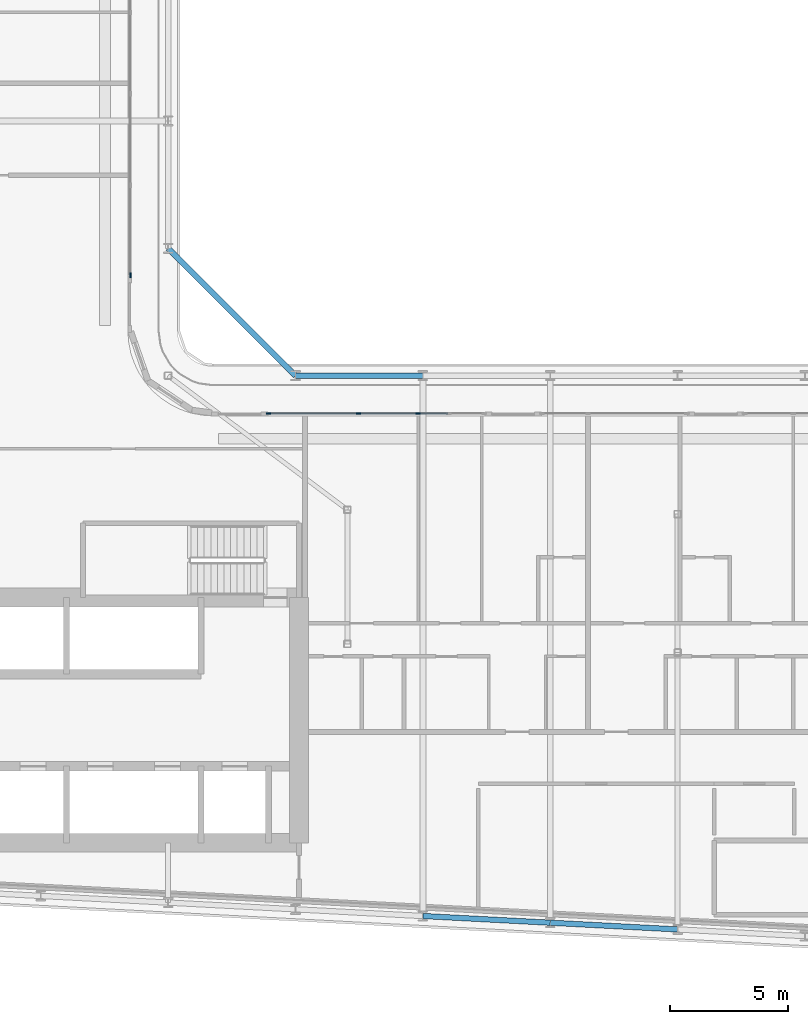
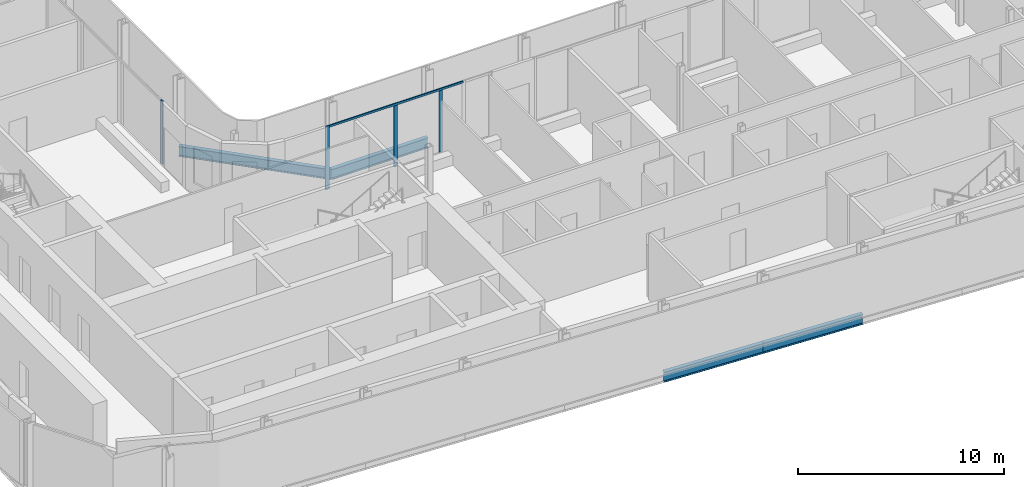
# One storey, part 6 of 29: 5 members, 4 beams, 2 elements without a shape of their own.
"""IFC4 building model written with IfcOpenShell, lengths in metres."""

import ifcopenshell
import ifcopenshell.guid

model = None  # the IFC model being written
_history = None  # IfcOwnerHistory: only IFC2X3 demands one
_inside = {}  # id of a spatial element -> (the spatial element, [elements in it])
_under = {}  # id of a project, library or spatial element -> (it, [spatial elements below it])
_declared = {}  # id of a project -> (the project, [libraries it declares])
_typed = {}  # id of a type object -> (the type object, [elements of that type])
_made_of = {}  # id of a material, layer set ... -> (it, [elements and type objects made of it])


def new_model(schema):
    """Start an empty IFC model of exactly this schema.

    Asked for "IFC4X3", IfcOpenShell would pick the latest addendum, in which some entities
    have other attributes; the version numbers below select the first issue.
    IFC2X3 requires an IfcOwnerHistory on every rooted entity: one is made here for all.
    """
    global model, _history
    if schema == "IFC4X3":
        model = ifcopenshell.file(schema_version=(4, 3, 0, 0))
    else:
        model = ifcopenshell.file(schema=schema)
    _inside.clear()
    _under.clear()
    _declared.clear()
    _typed.clear()
    _made_of.clear()
    _history = None
    if model.schema == "IFC2X3":
        org = make("IfcOrganization", Name="unknown")
        user = make(
            "IfcPersonAndOrganization",
            ThePerson=make("IfcPerson", FamilyName="unknown"),
            TheOrganization=org,
        )
        app = make(
            "IfcApplication",
            ApplicationDeveloper=org,
            Version="unknown",
            ApplicationFullName="unknown",
            ApplicationIdentifier="unknown",
        )
        _history = make(
            "IfcOwnerHistory",
            OwningUser=user,
            OwningApplication=app,
            ChangeAction="ADDED",
            CreationDate=0,
        )
    return model


def make(cls, **values):
    """One entity of the class cls with the attributes given. An attribute that is None is left unset."""
    return model.create_entity(
        cls, **{name: value for name, value in values.items() if value is not None}
    )


def rooted(cls, **values):
    """An entity with a GlobalId (a new one), such as an element, a storey or a relation."""
    return make(cls, GlobalId=ifcopenshell.guid.new(), OwnerHistory=_history, **values)


def si_unit(unit_type, name, prefix=None):
    """IfcSIUnit, for example si_unit("LENGTHUNIT", "METRE", prefix="MILLI")."""
    return make("IfcSIUnit", UnitType=unit_type, Prefix=prefix, Name=name)


def assignment(units):
    """IfcUnitAssignment: the units of a project."""
    return None if units is None else make("IfcUnitAssignment", Units=units)


def point(xyz):
    """IfcCartesianPoint."""
    return None if xyz is None else make("IfcCartesianPoint", Coordinates=xyz)


def direction(xyz):
    """IfcDirection."""
    return None if xyz is None else make("IfcDirection", DirectionRatios=xyz)


def frame(location, z_axis=None, x_axis=None):
    """IfcAxis2Placement3D, a coordinate frame: its origin and axes. An axis left out is left unset."""
    return make(
        "IfcAxis2Placement3D",
        Location=point(location),
        Axis=direction(z_axis),
        RefDirection=direction(x_axis),
    )


def frame_2d(location, x_axis=None):
    """IfcAxis2Placement2D, a coordinate frame in the plane: its origin and x axis."""
    return make(
        "IfcAxis2Placement2D", Location=point(location), RefDirection=direction(x_axis)
    )


def origin():
    """The frame at (0, 0, 0) with its axes left unset."""
    return frame((0.0, 0.0, 0.0))


def origin_2d():
    """The frame at (0, 0) in the plane with its x axis left unset."""
    return frame_2d((0.0, 0.0))


def place(relative_to, where):
    """IfcLocalPlacement: puts the frame where relative to a parent placement (None: the world)."""
    return make(
        "IfcLocalPlacement", PlacementRelTo=relative_to, RelativePlacement=where
    )


def context(
    kind, dimensions, precision=None, world=None, true_north=None, identifier=None
):
    """IfcGeometricRepresentationContext, for example the 3D "Model" context."""
    return make(
        "IfcGeometricRepresentationContext",
        ContextIdentifier=identifier,
        ContextType=kind,
        CoordinateSpaceDimension=dimensions,
        Precision=precision,
        WorldCoordinateSystem=world,
        TrueNorth=true_north,
    )


def subcontext(parent, identifier, kind, view, scale=None):
    """IfcGeometricRepresentationSubContext, for example "Body" below "Model"."""
    return make(
        "IfcGeometricRepresentationSubContext",
        ContextIdentifier=identifier,
        ContextType=kind,
        ParentContext=parent,
        TargetScale=scale,
        TargetView=view,
    )


def project(units=None, contexts=None):
    """IfcProject with its units and contexts."""
    return rooted(
        "IfcProject",
        Name="project",
        RepresentationContexts=contexts,
        UnitsInContext=assignment(units),
    )


def spatial(cls, under=None, at=None, **own):
    """A site, building, storey or space (cls), placed at a placement, below another one or the project."""
    s = rooted(cls, ObjectPlacement=at, **own)
    if under is not None:
        _under.setdefault(under.id(), (under, []))[1].append(s)
    return s


def profile(cls, at=None, kind="AREA", **sizes):
    """A parametric profile (cls). Its sizes go by their IFC names, for example OverallWidth=200.0."""
    return make(cls, ProfileType=kind, Position=at, **sizes)


def rectangle(**sizes):
    """IfcRectangleProfileDef."""
    return profile("IfcRectangleProfileDef", **sizes)


def i_section(**sizes):
    """IfcIShapeProfileDef."""
    return profile("IfcIShapeProfileDef", **sizes)


def extrude(swept, where, along, depth):
    """IfcExtrudedAreaSolid: the profile swept, set in the frame where, extruded along a direction by depth."""
    return make(
        "IfcExtrudedAreaSolid",
        SweptArea=swept,
        Position=where,
        ExtrudedDirection=direction(along),
        Depth=depth,
    )


def shape(context_of_items, identifier, shape_type, items):
    """IfcShapeRepresentation: the items that make up one representation, for example the "Body"."""
    return make(
        "IfcShapeRepresentation",
        ContextOfItems=context_of_items,
        RepresentationIdentifier=identifier,
        RepresentationType=shape_type,
        Items=items,
    )


def material(Name=None, Category=None):
    """IfcMaterial."""
    return make("IfcMaterial", Name=Name, Category=Category)


def layer(
    of_material, thickness, ventilated=None, Name=None, Category=None, Priority=None
):
    """IfcMaterialLayer: one layer of a wall or slab, of a material (None: an air gap)."""
    return make(
        "IfcMaterialLayer",
        Material=of_material,
        LayerThickness=thickness,
        IsVentilated=ventilated,
        Name=Name,
        Category=Category,
        Priority=Priority,
    )


def layer_set(layers, Name=None):
    """IfcMaterialLayerSet."""
    return make("IfcMaterialLayerSet", MaterialLayers=layers, LayerSetName=Name)


def material_profile(
    of_material, cross_section, Name=None, Category=None, Priority=None
):
    """IfcMaterialProfile: a cross section and its material."""
    return make(
        "IfcMaterialProfile",
        Name=Name,
        Material=of_material,
        Profile=cross_section,
        Priority=Priority,
        Category=Category,
    )


def profile_set(profiles, Name=None, composite=None):
    """IfcMaterialProfileSet."""
    return make(
        "IfcMaterialProfileSet",
        Name=Name,
        MaterialProfiles=profiles,
        CompositeProfile=composite,
    )


def made_of(thing, what):
    """Note that an element or type object is made of a material, layer set ...; save() writes the relation."""
    if what is not None:
        _made_of.setdefault(what.id(), (what, []))[1].append(thing)
    return thing


def type_object(cls, material=None, **own):
    """A type object (cls), such as IfcWallType, which elements share."""
    return made_of(rooted(cls, **own), material)


def element(
    cls,
    number,
    at=None,
    inside=None,
    cuts=None,
    type_object=None,
    material=None,
    context=None,
    identifier="Body",
    shape_type=None,
    held_by="IfcProductDefinitionShape",
    body=None,
    shapes=None,
    **own,
):
    """One element of the class cls, such as IfcWall. Its Tag is "e" and its number.

    at: its placement. inside: the storey or other place that contains it. cuts: it is an
    opening in that element (IfcRelVoidsElement). A single representation is given by context,
    identifier, shape_type and body (its items); several are given by shapes. held_by: the class
    of the entity that holds the representations. save() writes the other relations.
    """
    e = rooted(cls, Tag="e%d" % number, ObjectPlacement=at, **own)
    if body is not None:
        shapes = [shape(context, identifier, shape_type, body)]
    if shapes is not None:
        e.Representation = make(held_by, Representations=shapes)
    if inside is not None:
        _inside.setdefault(inside.id(), (inside, []))[1].append(e)
    if cuts is not None:
        rooted(
            "IfcRelVoidsElement", RelatingBuildingElement=cuts, RelatedOpeningElement=e
        )
    if type_object is not None:
        _typed.setdefault(type_object.id(), (type_object, []))[1].append(e)
    return made_of(e, material)


def aggregate(whole, parts):
    """IfcRelAggregates: a whole, such as a stair, and the parts it consists of."""
    return rooted("IfcRelAggregates", RelatingObject=whole, RelatedObjects=parts)


def save(model, path):
    """Write the relations noted so far, then the file.

    IfcRelAggregates (storeys below a building ...), IfcRelContainedInSpatialStructure (elements
    in a storey), IfcRelDefinesByType, IfcRelAssociatesMaterial and IfcRelDeclares: one each for
    every whole, place, type object, material and project.
    """
    for whole, parts in _under.values():
        aggregate(whole, parts)
    for where, things in _inside.values():
        rooted(
            "IfcRelContainedInSpatialStructure",
            RelatedElements=things,
            RelatingStructure=where,
        )
    for kind, things in _typed.values():
        rooted("IfcRelDefinesByType", RelatedObjects=things, RelatingType=kind)
    for what, things in _made_of.values():
        rooted("IfcRelAssociatesMaterial", RelatedObjects=things, RelatingMaterial=what)
    for by, libraries in _declared.values():
        rooted("IfcRelDeclares", RelatingContext=by, RelatedDefinitions=libraries)
    model.write(path)


model = new_model("IFC4")

# Units and contexts
model_context = context("Model", 3, precision=1e-05, world=origin(), true_north=direction((0.0, 1.0)))
body_context = subcontext(model_context, "Body", "Model", "MODEL_VIEW")
ifc_project = project(units=[si_unit("LENGTHUNIT", "METRE"), si_unit("AREAUNIT", "SQUARE_METRE"), si_unit("VOLUMEUNIT", "CUBIC_METRE"), si_unit("PLANEANGLEUNIT", "RADIAN"), si_unit("MASSUNIT", "GRAM", prefix="KILO")], contexts=[model_context])

# Site, building, storey
site_placement = place(None, origin())
site = spatial("IfcSite", under=ifc_project, at=site_placement, CompositionType="ELEMENT")
building_placement = place(site_placement, origin())
building = spatial("IfcBuilding", under=site, at=building_placement, Name="Kheshtan School and Residences Tower", CompositionType="ELEMENT")
storey_placement = place(building_placement, frame((0.0, 0.0, 183.800048828125)))
storey = spatial("IfcBuildingStorey", under=building, at=storey_placement, Name="L43", CompositionType="ELEMENT", Elevation=183.800048828125)

# Beams
ifc_material_1 = material(Name="Steel ASTM A992 Grade 50", Category="steel")
ifc_material_profile_1 = material_profile(ifc_material_1, i_section(OverallWidth=0.22802734375, OverallDepth=0.60302734375, WebThickness=0.010498046875, FlangeThickness=0.014892578125, FilletRadius=0.013427734375, at=origin_2d()), Name="W610x101")
ifc_profile_set_1 = profile_set([ifc_material_profile_1], Name="Steel ASTM A992 Grade 50")
beam_type = type_object("IfcBeamType", Name="Beam SP2 W610x101 ASTM A992 Grade 50", PredefinedType="BEAM", material=ifc_profile_set_1)
beam_1_placement = place(storey_placement, frame((47.60009765625, 51.0, -0.45166015625), z_axis=(0.707106781187, -0.707106781187, 0.0), x_axis=(0.707106781187, 0.707106781187, 0.0)))
element("IfcBeam", 1, at=beam_1_placement, inside=storey, type_object=beam_type, Name="Spandrel beam C079-C061", PredefinedType="BEAM", context=body_context, shape_type="SweptSolid", body=[
    extrude(i_section(OverallWidth=0.22802734375, OverallDepth=0.60302734375, WebThickness=0.010498046875, FlangeThickness=0.014892578125, FilletRadius=0.013427734375, at=origin_2d()), origin(), (0.0, 0.0, 1.0), 7.63671875),
])
beam_2_placement = place(storey_placement, frame((53.0, 45.60009765625, -0.45166015625), z_axis=(1.0, 0.0, 0.0), x_axis=(0.0, 1.0, 0.0)))
element("IfcBeam", 2, at=beam_2_placement, inside=storey, type_object=beam_type, Name="Spandrel beam C061-C062", PredefinedType="BEAM", context=body_context, shape_type="SweptSolid", body=[
    extrude(i_section(OverallWidth=0.22802734375, OverallDepth=0.60302734375, WebThickness=0.010498046875, FlangeThickness=0.014892578125, FilletRadius=0.013427734375, at=origin_2d()), origin(), (0.0, 0.0, 1.0), 5.39990234375),
])
beam_3_placement = place(storey_placement, frame((69.199951171875, 22.126953125, -0.45166015625), z_axis=(-0.998620447272, 0.05250906864, 0.0), x_axis=(-0.05250906864, -0.998620447272, 0.0)))
element("IfcBeam", 3, at=beam_3_placement, inside=storey, type_object=beam_type, Name="Spandrel beam C014-C016", PredefinedType="BEAM", context=body_context, shape_type="SweptSolid", body=[
    extrude(i_section(OverallWidth=0.22802734375, OverallDepth=0.60302734375, WebThickness=0.010498046875, FlangeThickness=0.014892578125, FilletRadius=0.013427734375, at=origin_2d()), origin(), (0.0, 0.0, 1.0), 5.407470703125),
])
beam_4_placement = place(storey_placement, frame((63.800048828125, 22.410888671875, -0.45166015625), z_axis=(-0.998618203458, 0.052551724256, 0.0), x_axis=(-0.052551724256, -0.998618203458, 0.0)))
element("IfcBeam", 4, at=beam_4_placement, inside=storey, type_object=beam_type, Name="Spandrel beam C016-C018", PredefinedType="BEAM", context=body_context, shape_type="SweptSolid", body=[
    extrude(i_section(OverallWidth=0.22802734375, OverallDepth=0.60302734375, WebThickness=0.010498046875, FlangeThickness=0.014892578125, FilletRadius=0.013427734375, at=origin_2d()), origin(), (0.0, 0.0, 1.0), 5.40771484375),
])

# Curtain wall, member
ifc_material_2 = material(Name="Clear low-e glass in thermally broken aluminium frame", Category="aluminium")
ifc_layer = layer(ifc_material_2, 0.199951171875)
ifc_layer_set = layer_set([ifc_layer], Name="Curtain wall CW-L")
curtain_wall_type = type_object("IfcCurtainWallType", Name="Curtain wall CW-L", PredefinedType="NOTDEFINED", material=ifc_layer_set)
curtain_wall_1_placement = place(storey_placement, origin())
curtain_wall_1 = element("IfcCurtainWall", 5, at=curtain_wall_1_placement, inside=storey, type_object=curtain_wall_type, Name="Curtain wall CWL8", PredefinedType="NOTDEFINED")
ifc_material_3 = material(Name="Thermally broken aluminium, dark bronze anodised", Category="aluminium")
ifc_material_profile_2 = material_profile(ifc_material_3, rectangle(XDim=0.06005859375, YDim=0.199951171875, at=origin_2d()), Name="CW-L mullion 60x200")
ifc_profile_set_2 = profile_set([ifc_material_profile_2], Name="Thermally broken aluminium, dark bronze anodised")
member_type_1 = type_object("IfcMemberType", Name="CW-L mullion 60x200", PredefinedType="MULLION", material=ifc_profile_set_2)
member_1_placement = place(storey_placement, frame((46.0, 49.860107421875, 0.0), z_axis=(0.0, 0.0, 1.0), x_axis=(1.0, 0.0, 0.0)))
member_1 = element("IfcMember", 6, at=member_1_placement, type_object=member_type_1, Name="CWL8 mullion 3", PredefinedType="MULLION", context=body_context, shape_type="SweptSolid", body=[
    extrude(rectangle(XDim=0.06005859375, YDim=0.199951171875, at=origin_2d()), origin(), (0.0, 0.0, 1.0), 3.75),
])
aggregate(curtain_wall_1, [member_1])

# Curtain wall, members
curtain_wall_2_placement = place(storey_placement, origin())
curtain_wall_2 = element("IfcCurtainWall", 7, at=curtain_wall_2_placement, inside=storey, type_object=curtain_wall_type, Name="Curtain wall CWL12k", PredefinedType="NOTDEFINED")
member_2_placement = place(storey_placement, frame((51.860107421875, 44.0, 0.0), z_axis=(0.0, 0.0, 1.0), x_axis=(0.0, 1.0, 0.0)))
member_2 = element("IfcMember", 8, at=member_2_placement, type_object=member_type_1, Name="CWL12k mullion 1", PredefinedType="MULLION", context=body_context, shape_type="SweptSolid", body=[
    extrude(rectangle(XDim=0.06005859375, YDim=0.199951171875, at=origin_2d()), origin(), (0.0, 0.0, 1.0), 3.75),
])
member_3_placement = place(storey_placement, frame((55.677001953125, 44.0, 0.0), z_axis=(0.0, 0.0, 1.0), x_axis=(0.0, 1.0, 0.0)))
member_3 = element("IfcMember", 9, at=member_3_placement, type_object=member_type_1, Name="CWL12k mullion 2", PredefinedType="MULLION", context=body_context, shape_type="SweptSolid", body=[
    extrude(rectangle(XDim=0.06005859375, YDim=0.199951171875, at=origin_2d()), origin(), (0.0, 0.0, 1.0), 3.6298828125),
])
member_4_placement = place(storey_placement, frame((58.199951171875, 44.0, 0.0), z_axis=(0.0, 0.0, 1.0), x_axis=(0.0, 1.0, 0.0)))
member_4 = element("IfcMember", 10, at=member_4_placement, type_object=member_type_1, Name="CWL12k mullion 3", PredefinedType="MULLION", context=body_context, shape_type="SweptSolid", body=[
    extrude(rectangle(XDim=0.06005859375, YDim=0.199951171875, at=origin_2d()), origin(), (0.0, 0.0, 1.0), 3.6298828125),
])
ifc_material_profile_3 = material_profile(ifc_material_3, rectangle(XDim=0.06005859375, YDim=0.1201171875, at=origin_2d()), Name="CW-L transom 60x120")
ifc_profile_set_3 = profile_set([ifc_material_profile_3], Name="Thermally broken aluminium, dark bronze anodised")
member_type_2 = type_object("IfcMemberType", Name="CW-L transom 60x120", PredefinedType="USERDEFINED", material=ifc_profile_set_3)
member_5_placement = place(storey_placement, frame((51.889892578125, 44.0, 3.68994140625), z_axis=(1.0, 0.0, 0.0), x_axis=(0.0, 1.0, 0.0)))
member_5 = element("IfcMember", 11, at=member_5_placement, type_object=member_type_2, Name="CWL12k transom 1", ObjectType="TRANSOM", PredefinedType="USERDEFINED", context=body_context, shape_type="SweptSolid", body=[
    extrude(rectangle(XDim=0.06005859375, YDim=0.1201171875, at=origin_2d()), origin(), (0.0, 0.0, 1.0), 7.57421875),
])
aggregate(curtain_wall_2, [member_2, member_3, member_4, member_5])

save(model, "model.ifc")
